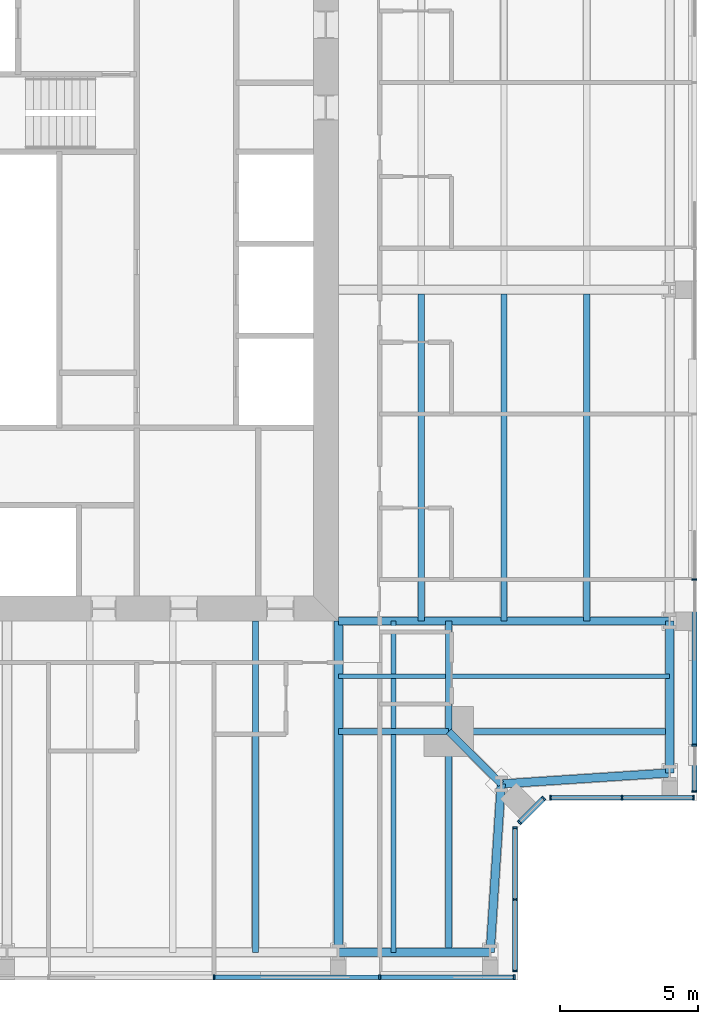
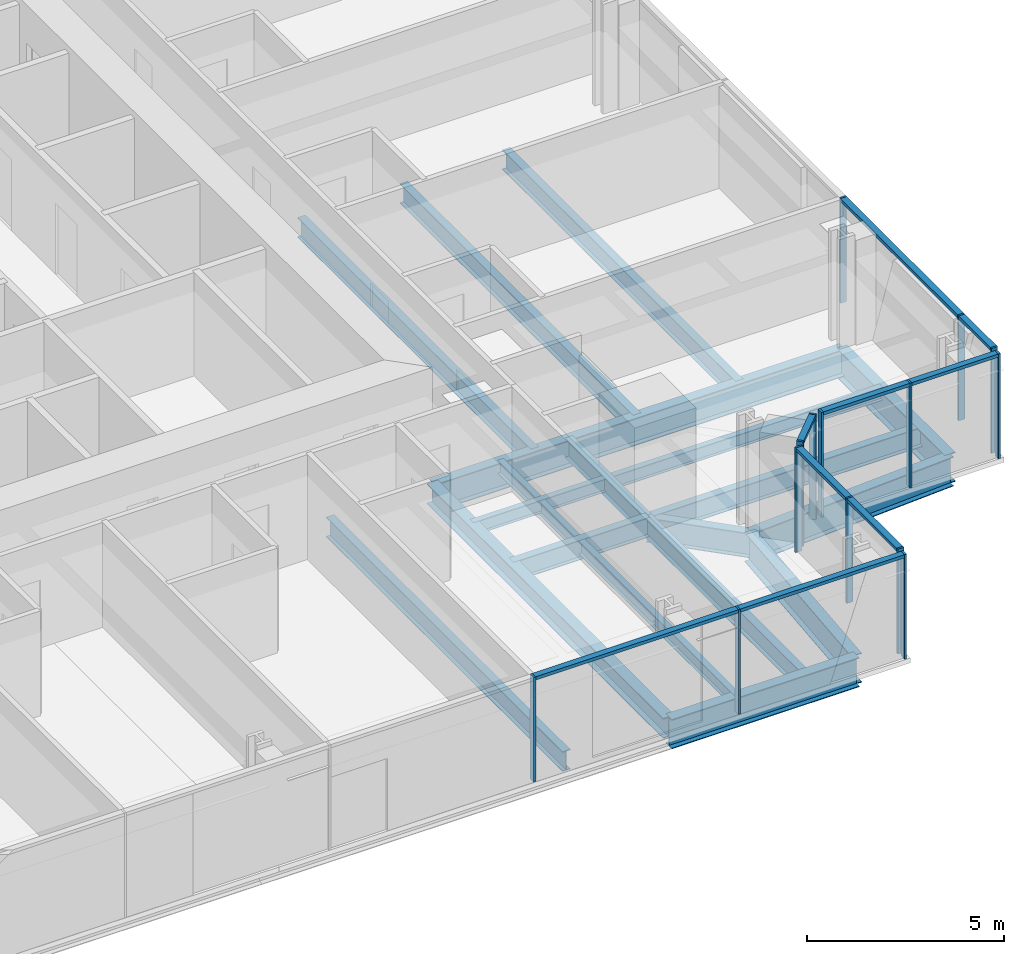
# One storey, part 5 of 20: 23 members, 20 beams, 5 elements without a shape of their own.
"""IFC4 building model written with IfcOpenShell, lengths in metres."""

from ifc_helpers import new_model, si_unit, direction, frame, origin, origin_2d, place, context, subcontext, project, spatial, rectangle, i_section, extrude, material, material_profile, profile_set, type_object, element, aggregate, save


model = new_model("IFC4")

# Units and contexts
model_context = context("Model", 3, precision=1e-05, world=origin(), true_north=direction((0.0, 1.0)))
body_context = subcontext(model_context, "Body", "Model", "MODEL_VIEW")
ifc_project = project(units=[si_unit("LENGTHUNIT", "METRE"), si_unit("AREAUNIT", "SQUARE_METRE"), si_unit("VOLUMEUNIT", "CUBIC_METRE"), si_unit("PLANEANGLEUNIT", "RADIAN"), si_unit("MASSUNIT", "GRAM", prefix="KILO")], contexts=[model_context])

# Site, building, storey
site_placement = place(None, origin())
site = spatial("IfcSite", under=ifc_project, at=site_placement, CompositionType="ELEMENT")
building_placement = place(site_placement, origin())
building = spatial("IfcBuilding", under=site, at=building_placement, Name="Fenwick Lantern Interchange", CompositionType="ELEMENT")
storey_placement = place(building_placement, frame((0.0, 0.0, 245.800048828125)))
storey = spatial("IfcBuildingStorey", under=building, at=storey_placement, Name="L57", CompositionType="ELEMENT", Elevation=245.800048828125)

# Beams
ifc_material_1 = material(Name="Steel ASTM A992 Grade 50", Category="steel")
ifc_material_profile_1 = material_profile(ifc_material_1, i_section(OverallWidth=0.3046875, OverallDepth=0.911865234375, WebThickness=0.015869140625, FlangeThickness=0.02392578125, at=origin_2d()), Name="W36X150")
ifc_profile_set_1 = profile_set([ifc_material_profile_1], Name="Steel ASTM A992 Grade 50")
beam_type_1 = type_object("IfcBeamType", Name="EDGE BEAM W36X150", PredefinedType="SPANDREL", material=ifc_profile_set_1)
beam_1_placement = place(storey_placement, frame((37.0, 1.0, -0.60595703125), z_axis=(1.0, 0.0, 0.0), x_axis=(0.0, 1.0, 0.0)))
element("IfcBeam", 1, at=beam_1_placement, inside=storey, type_object=beam_type_1, Name="L57/FR/S/EB4", PredefinedType="SPANDREL", context=body_context, shape_type="SweptSolid", body=[
    extrude(i_section(OverallWidth=0.3046875, OverallDepth=0.911865234375, WebThickness=0.015869140625, FlangeThickness=0.02392578125, at=origin_2d()), origin(), (0.0, 0.0, 1.0), 5.5),
])
for number, where, z_axis, x_axis, name in (
    (2, (42.5, 1.0, -0.60595703125), (0.065416293237, 0.997858060337, 0.0), (-0.997858060337, 0.065416293237, 0.0), "L57/FR/S/EBR1"),
    (3, (42.89990234375, 7.10009765625, -0.60595703125), (0.997858060337, 0.065416293237, 0.0), (-0.065416293237, 0.997858060337, 0.0), "L57/FR/S/EBR2"),
):
    element("IfcBeam", number, at=place(storey_placement, frame(where, z_axis=z_axis, x_axis=x_axis)), inside=storey, type_object=beam_type_1, Name=name, PredefinedType="SPANDREL", context=body_context, shape_type="SweptSolid", body=[
        extrude(i_section(OverallWidth=0.3046875, OverallDepth=0.911865234375, WebThickness=0.015869140625, FlangeThickness=0.02392578125, at=origin_2d()), origin(), (0.0, 0.0, 1.0), 6.11328125),
    ])
beam_2_placement = place(storey_placement, frame((49.0, 7.5, -0.60595703125), z_axis=(0.0, 1.0, 0.0), x_axis=(-1.0, 0.0, 0.0)))
element("IfcBeam", 4, at=beam_2_placement, inside=storey, type_object=beam_type_1, Name="L57/FR/E/EB1", PredefinedType="SPANDREL", context=body_context, shape_type="SweptSolid", body=[
    extrude(i_section(OverallWidth=0.3046875, OverallDepth=0.911865234375, WebThickness=0.015869140625, FlangeThickness=0.02392578125, at=origin_2d()), origin(), (0.0, 0.0, 1.0), 5.5),
])
ifc_material_profile_2 = material_profile(ifc_material_1, i_section(OverallWidth=0.22900390625, OverallDepth=0.612060546875, WebThickness=0.011962890625, FlangeThickness=0.01953125, at=origin_2d()), Name="W24X84")
ifc_profile_set_2 = profile_set([ifc_material_profile_2], Name="Steel ASTM A992 Grade 50")
beam_type_2 = type_object("IfcBeamType", Name="FLOOR BEAM W24X84", PredefinedType="BEAM", material=ifc_profile_set_2)
beam_3_placement = place(storey_placement, frame((34.0, 1.0, -0.4560546875), z_axis=(0.0, 1.0, 0.0), x_axis=(-1.0, 0.0, 0.0)))
element("IfcBeam", 5, at=beam_3_placement, inside=storey, type_object=beam_type_2, Name="L57/FR/S/R08", PredefinedType="BEAM", context=body_context, shape_type="SweptSolid", body=[
    extrude(i_section(OverallWidth=0.22900390625, OverallDepth=0.612060546875, WebThickness=0.011962890625, FlangeThickness=0.01953125, at=origin_2d()), origin(), (0.0, 0.0, 1.0), 12.0),
])
for number, where, z_axis, x_axis, name in (
    (6, (46.0, 13.0, -0.4560546875), (0.0, 1.0, 0.0), (-1.0, 0.0, 0.0), "L57/FR/E/B01"),
    (7, (43.0, 13.0, -0.4560546875), (0.0, 1.0, 0.0), (-1.0, 0.0, 0.0), "L57/FR/E/B02"),
    (8, (40.0, 13.0, -0.4560546875), (0.0, 1.0, 0.0), (-1.0, 0.0, 0.0), "L57/FR/E/B03"),
):
    element("IfcBeam", number, at=place(storey_placement, frame(where, z_axis=z_axis, x_axis=x_axis)), inside=storey, type_object=beam_type_2, Name=name, PredefinedType="BEAM", context=body_context, shape_type="SweptSolid", body=[
        extrude(i_section(OverallWidth=0.22900390625, OverallDepth=0.612060546875, WebThickness=0.011962890625, FlangeThickness=0.01953125, at=origin_2d()), origin(), (0.0, 0.0, 1.0), 11.844970703125),
    ])

# Curtain wall, members
ifc_material_2 = material(Name="Aluminium curtain wall frame", Category="aluminium")
curtain_wall_type = type_object("IfcCurtainWallType", Name="HOTEL CURTAIN WALL", PredefinedType="USERDEFINED", material=ifc_material_2)
curtain_wall_1_placement = place(storey_placement, origin())
curtain_wall_1 = element("IfcCurtainWall", 9, at=curtain_wall_1_placement, inside=storey, type_object=curtain_wall_type, Name="Hotel curtain wall 01", ObjectType="HOTEL CURTAIN WALL", PredefinedType="USERDEFINED")
ifc_material_3 = material(Name="Aluminium extrusion", Category="aluminium")
ifc_material_profile_3 = material_profile(ifc_material_3, rectangle(XDim=0.179931640625, YDim=0.06005859375, at=origin_2d()), Name="HOTEL CURTAIN WALL MULLION 60 X 180")
ifc_profile_set_3 = profile_set([ifc_material_profile_3], Name="Aluminium extrusion")
member_type_1 = type_object("IfcMemberType", Name="HOTEL CURTAIN WALL MULLION 60 X 180", PredefinedType="MULLION", material=ifc_profile_set_3)
member_1_placement = place(storey_placement, frame((32.5, 0.10009765625, 0.0), z_axis=(0.0, 0.0, 1.0), x_axis=(0.0, 1.0, 0.0)))
member_1 = element("IfcMember", 10, at=member_1_placement, type_object=member_type_1, Name="L57/CW/01/M05", PredefinedType="MULLION", context=body_context, shape_type="SweptSolid", body=[
    extrude(rectangle(XDim=0.179931640625, YDim=0.06005859375, at=origin_2d()), origin(), (0.0, 0.0, 1.0), 3.25),
])
member_2_placement = place(storey_placement, frame((38.5, 0.10009765625, 0.0), z_axis=(0.0, 0.0, 1.0), x_axis=(0.0, 1.0, 0.0)))
member_2 = element("IfcMember", 11, at=member_2_placement, type_object=member_type_1, Name="L57/CW/01/M06", PredefinedType="MULLION", context=body_context, shape_type="SweptSolid", body=[
    extrude(rectangle(XDim=0.179931640625, YDim=0.06005859375, at=origin_2d()), origin(), (0.0, 0.0, 1.0), 3.25),
])
member_3_placement = place(storey_placement, frame((43.3701171875, 0.10009765625, 0.0), z_axis=(0.0, 0.0, 1.0), x_axis=(0.0, 1.0, 0.0)))
member_3 = element("IfcMember", 12, at=member_3_placement, type_object=member_type_1, Name="L57/CW/01/M07", PredefinedType="MULLION", context=body_context, shape_type="SweptSolid", body=[
    extrude(rectangle(XDim=0.179931640625, YDim=0.06005859375, at=origin_2d()), origin(), (0.0, 0.0, 1.0), 3.25),
])

curtain_wall_2_placement = place(storey_placement, origin())
curtain_wall_2 = element("IfcCurtainWall", 13, at=curtain_wall_2_placement, inside=storey, type_object=curtain_wall_type, Name="Hotel curtain wall 02", ObjectType="HOTEL CURTAIN WALL", PredefinedType="USERDEFINED")
member_4_placement = place(storey_placement, frame((43.39990234375, 0.330078125, 0.0), z_axis=(0.0, 0.0, 1.0), x_axis=(-1.0, 0.0, 0.0)))
member_4 = element("IfcMember", 14, at=member_4_placement, type_object=member_type_1, Name="L57/CW/02/M00", PredefinedType="MULLION", context=body_context, shape_type="SweptSolid", body=[
    extrude(rectangle(XDim=0.179931640625, YDim=0.06005859375, at=origin_2d()), origin(), (0.0, 0.0, 1.0), 3.25),
])
member_5_placement = place(storey_placement, frame((43.39990234375, 2.920654296875, 0.0), z_axis=(0.0, 0.0, 1.0), x_axis=(-1.0, 0.0, 0.0)))
member_5 = element("IfcMember", 15, at=member_5_placement, type_object=member_type_1, Name="L57/CW/02/M01", PredefinedType="MULLION", context=body_context, shape_type="SweptSolid", body=[
    extrude(rectangle(XDim=0.179931640625, YDim=0.06005859375, at=origin_2d()), origin(), (0.0, 0.0, 1.0), 3.25),
])
member_6_placement = place(storey_placement, frame((43.39990234375, 5.511474609375, 0.0), z_axis=(0.0, 0.0, 1.0), x_axis=(-1.0, 0.0, 0.0)))
member_6 = element("IfcMember", 16, at=member_6_placement, type_object=member_type_1, Name="L57/CW/02/M02", PredefinedType="MULLION", context=body_context, shape_type="SweptSolid", body=[
    extrude(rectangle(XDim=0.179931640625, YDim=0.06005859375, at=origin_2d()), origin(), (0.0, 0.0, 1.0), 3.25),
])

curtain_wall_3_placement = place(storey_placement, origin())
curtain_wall_3 = element("IfcCurtainWall", 17, at=curtain_wall_3_placement, inside=storey, type_object=curtain_wall_type, Name="Hotel curtain wall 03", ObjectType="HOTEL CURTAIN WALL", PredefinedType="USERDEFINED")
member_7_placement = place(storey_placement, frame((43.562744140625, 5.7041015625, 0.0), z_axis=(0.0, 0.0, 1.0), x_axis=(-0.707106781187, 0.707106781187, 0.0)))
member_7 = element("IfcMember", 18, at=member_7_placement, type_object=member_type_1, Name="L57/CW/03/M00", PredefinedType="MULLION", context=body_context, shape_type="SweptSolid", body=[
    extrude(rectangle(XDim=0.179931640625, YDim=0.06005859375, at=origin_2d()), origin(), (0.0, 0.0, 1.0), 3.25),
])
member_8_placement = place(storey_placement, frame((44.437255859375, 6.578857421875, 0.0), z_axis=(0.0, 0.0, 1.0), x_axis=(-0.707106781187, 0.707106781187, 0.0)))
member_8 = element("IfcMember", 19, at=member_8_placement, type_object=member_type_1, Name="L57/CW/03/M01", PredefinedType="MULLION", context=body_context, shape_type="SweptSolid", body=[
    extrude(rectangle(XDim=0.179931640625, YDim=0.06005859375, at=origin_2d()), origin(), (0.0, 0.0, 1.0), 3.25),
])

curtain_wall_4_placement = place(storey_placement, origin())
curtain_wall_4 = element("IfcCurtainWall", 20, at=curtain_wall_4_placement, inside=storey, type_object=curtain_wall_type, Name="Hotel curtain wall 04", ObjectType="HOTEL CURTAIN WALL", PredefinedType="USERDEFINED")
member_9_placement = place(storey_placement, frame((44.6884765625, 6.60009765625, 0.0), z_axis=(0.0, 0.0, 1.0), x_axis=(0.0, 1.0, 0.0)))
member_9 = element("IfcMember", 21, at=member_9_placement, type_object=member_type_1, Name="L57/CW/04/M00", PredefinedType="MULLION", context=body_context, shape_type="SweptSolid", body=[
    extrude(rectangle(XDim=0.179931640625, YDim=0.06005859375, at=origin_2d()), origin(), (0.0, 0.0, 1.0), 3.25),
])
member_10_placement = place(storey_placement, frame((47.279296875, 6.60009765625, 0.0), z_axis=(0.0, 0.0, 1.0), x_axis=(0.0, 1.0, 0.0)))
member_10 = element("IfcMember", 22, at=member_10_placement, type_object=member_type_1, Name="L57/CW/04/M01", PredefinedType="MULLION", context=body_context, shape_type="SweptSolid", body=[
    extrude(rectangle(XDim=0.179931640625, YDim=0.06005859375, at=origin_2d()), origin(), (0.0, 0.0, 1.0), 3.25),
])
member_11_placement = place(storey_placement, frame((49.8701171875, 6.60009765625, 0.0), z_axis=(0.0, 0.0, 1.0), x_axis=(0.0, 1.0, 0.0)))
member_11 = element("IfcMember", 23, at=member_11_placement, type_object=member_type_1, Name="L57/CW/04/M02", PredefinedType="MULLION", context=body_context, shape_type="SweptSolid", body=[
    extrude(rectangle(XDim=0.179931640625, YDim=0.06005859375, at=origin_2d()), origin(), (0.0, 0.0, 1.0), 3.25),
])

curtain_wall_5_placement = place(storey_placement, origin())
curtain_wall_5 = element("IfcCurtainWall", 24, at=curtain_wall_5_placement, inside=storey, type_object=curtain_wall_type, Name="Hotel curtain wall 05", ObjectType="HOTEL CURTAIN WALL", PredefinedType="USERDEFINED")
member_12_placement = place(storey_placement, frame((49.89990234375, 6.830078125, 0.0), z_axis=(0.0, 0.0, 1.0), x_axis=(-1.0, 0.0, 0.0)))
member_12 = element("IfcMember", 25, at=member_12_placement, type_object=member_type_1, Name="L57/CW/05/M00", PredefinedType="MULLION", context=body_context, shape_type="SweptSolid", body=[
    extrude(rectangle(XDim=0.179931640625, YDim=0.06005859375, at=origin_2d()), origin(), (0.0, 0.0, 1.0), 3.25),
])
member_13_placement = place(storey_placement, frame((49.89990234375, 8.5, 0.0), z_axis=(0.0, 0.0, 1.0), x_axis=(-1.0, 0.0, 0.0)))
member_13 = element("IfcMember", 26, at=member_13_placement, type_object=member_type_1, Name="L57/CW/05/M01", PredefinedType="MULLION", context=body_context, shape_type="SweptSolid", body=[
    extrude(rectangle(XDim=0.179931640625, YDim=0.06005859375, at=origin_2d()), origin(), (0.0, 0.0, 1.0), 3.25),
])
member_14_placement = place(storey_placement, frame((49.89990234375, 14.5, 0.0), z_axis=(0.0, 0.0, 1.0), x_axis=(-1.0, 0.0, 0.0)))
member_14 = element("IfcMember", 27, at=member_14_placement, type_object=member_type_1, Name="L57/CW/05/M02", PredefinedType="MULLION", context=body_context, shape_type="SweptSolid", body=[
    extrude(rectangle(XDim=0.179931640625, YDim=0.06005859375, at=origin_2d()), origin(), (0.0, 0.0, 1.0), 3.25),
])

# Member
ifc_material_profile_4 = material_profile(ifc_material_3, rectangle(XDim=0.179931640625, YDim=0.10009765625, at=origin_2d()), Name="HOTEL CURTAIN WALL TRANSOM 100 X 180")
ifc_profile_set_4 = profile_set([ifc_material_profile_4], Name="Aluminium extrusion")
member_type_2 = type_object("IfcMemberType", Name="HOTEL CURTAIN WALL TRANSOM 100 X 180", PredefinedType="MULLION", material=ifc_profile_set_4)
member_15_placement = place(storey_placement, frame((32.530029296875, 0.10009765625, 3.199951171875), z_axis=(1.0, 0.0, 0.0), x_axis=(0.0, 1.0, 0.0)))
member_15 = element("IfcMember", 28, at=member_15_placement, type_object=member_type_2, Name="L57/CW/01/T05", PredefinedType="MULLION", context=body_context, shape_type="SweptSolid", body=[
    extrude(rectangle(XDim=0.179931640625, YDim=0.10009765625, at=origin_2d()), origin(), (0.0, 0.0, 1.0), 5.93994140625),
])

member_16_placement = place(storey_placement, frame((38.530029296875, 0.10009765625, 3.199951171875), z_axis=(1.0, 0.0, 0.0), x_axis=(0.0, 1.0, 0.0)))
member_16 = element("IfcMember", 29, at=member_16_placement, type_object=member_type_2, Name="L57/CW/01/T06", PredefinedType="MULLION", context=body_context, shape_type="SweptSolid", body=[
    extrude(rectangle(XDim=0.179931640625, YDim=0.10009765625, at=origin_2d()), origin(), (0.0, 0.0, 1.0), 4.81005859375),
])

aggregate(curtain_wall_1, [member_1, member_2, member_3, member_15, member_16])

member_17_placement = place(storey_placement, frame((43.39990234375, 0.360107421875, 3.199951171875), z_axis=(0.0, 1.0, 0.0), x_axis=(-1.0, 0.0, 0.0)))
member_17 = element("IfcMember", 30, at=member_17_placement, type_object=member_type_2, Name="L57/CW/02/T00", PredefinedType="MULLION", context=body_context, shape_type="SweptSolid", body=[
    extrude(rectangle(XDim=0.179931640625, YDim=0.10009765625, at=origin_2d()), origin(), (0.0, 0.0, 1.0), 2.530517578125),
])

member_18_placement = place(storey_placement, frame((43.39990234375, 2.95068359375, 3.199951171875), z_axis=(0.0, 1.0, 0.0), x_axis=(-1.0, 0.0, 0.0)))
member_18 = element("IfcMember", 31, at=member_18_placement, type_object=member_type_2, Name="L57/CW/02/T01", PredefinedType="MULLION", context=body_context, shape_type="SweptSolid", body=[
    extrude(rectangle(XDim=0.179931640625, YDim=0.10009765625, at=origin_2d()), origin(), (0.0, 0.0, 1.0), 2.53076171875),
])

aggregate(curtain_wall_2, [member_4, member_5, member_6, member_17, member_18])

member_19_placement = place(storey_placement, frame((43.583740234375, 5.725341796875, 3.199951171875), z_axis=(0.707210470133, 0.707003077033, 0.0), x_axis=(-0.707003077033, 0.707210470133, 0.0)))
member_19 = element("IfcMember", 32, at=member_19_placement, type_object=member_type_2, Name="L57/CW/03/T00", PredefinedType="MULLION", context=body_context, shape_type="SweptSolid", body=[
    extrude(rectangle(XDim=0.179931640625, YDim=0.10009765625, at=origin_2d()), origin(), (0.0, 0.0, 1.0), 1.17724609375),
])

aggregate(curtain_wall_3, [member_7, member_8, member_19])

member_20_placement = place(storey_placement, frame((44.718505859375, 6.60009765625, 3.199951171875), z_axis=(1.0, 0.0, 0.0), x_axis=(0.0, 1.0, 0.0)))
member_20 = element("IfcMember", 33, at=member_20_placement, type_object=member_type_2, Name="L57/CW/04/T00", PredefinedType="MULLION", context=body_context, shape_type="SweptSolid", body=[
    extrude(rectangle(XDim=0.179931640625, YDim=0.10009765625, at=origin_2d()), origin(), (0.0, 0.0, 1.0), 2.53076171875),
])

member_21_placement = place(storey_placement, frame((47.309326171875, 6.60009765625, 3.199951171875), z_axis=(1.0, 0.0, 0.0), x_axis=(0.0, 1.0, 0.0)))
member_21 = element("IfcMember", 34, at=member_21_placement, type_object=member_type_2, Name="L57/CW/04/T01", PredefinedType="MULLION", context=body_context, shape_type="SweptSolid", body=[
    extrude(rectangle(XDim=0.179931640625, YDim=0.10009765625, at=origin_2d()), origin(), (0.0, 0.0, 1.0), 2.53076171875),
])

aggregate(curtain_wall_4, [member_9, member_10, member_11, member_20, member_21])

member_22_placement = place(storey_placement, frame((49.89990234375, 6.860107421875, 3.199951171875), z_axis=(0.0, 1.0, 0.0), x_axis=(-1.0, 0.0, 0.0)))
member_22 = element("IfcMember", 35, at=member_22_placement, type_object=member_type_2, Name="L57/CW/05/T00", PredefinedType="MULLION", context=body_context, shape_type="SweptSolid", body=[
    extrude(rectangle(XDim=0.179931640625, YDim=0.10009765625, at=origin_2d()), origin(), (0.0, 0.0, 1.0), 1.60986328125),
])

member_23_placement = place(storey_placement, frame((49.89990234375, 8.530029296875, 3.199951171875), z_axis=(0.0, 1.0, 0.0), x_axis=(-1.0, 0.0, 0.0)))
member_23 = element("IfcMember", 36, at=member_23_placement, type_object=member_type_2, Name="L57/CW/05/T01", PredefinedType="MULLION", context=body_context, shape_type="SweptSolid", body=[
    extrude(rectangle(XDim=0.179931640625, YDim=0.10009765625, at=origin_2d()), origin(), (0.0, 0.0, 1.0), 5.93994140625),
])

aggregate(curtain_wall_5, [member_12, member_13, member_14, member_22, member_23])

# Beams
ifc_material_profile_5 = material_profile(ifc_material_1, i_section(OverallWidth=0.177734375, OverallDepth=0.406494140625, WebThickness=0.0078125, FlangeThickness=0.012939453125, at=origin_2d()), Name="W16X40")
ifc_profile_set_5 = profile_set([ifc_material_profile_5], Name="Steel ASTM A992 Grade 50")
beam_type_3 = type_object("IfcBeamType", Name="INFILL BEAM W16X40", PredefinedType="JOIST", material=ifc_profile_set_5)
beam_4_placement = place(storey_placement, frame((49.0, 11.0, -0.353271484375), z_axis=(-1.0, 0.0, 0.0), x_axis=(0.0, -1.0, 0.0)))
element("IfcBeam", 37, at=beam_4_placement, inside=storey, type_object=beam_type_3, Name="L57/FR/E/J1", PredefinedType="JOIST", context=body_context, shape_type="SweptSolid", body=[
    extrude(i_section(OverallWidth=0.177734375, OverallDepth=0.406494140625, WebThickness=0.0078125, FlangeThickness=0.012939453125, at=origin_2d()), origin(), (0.0, 0.0, 1.0), 7.885498046875),
])
beam_5_placement = place(storey_placement, frame((40.885498046875, 11.0, -0.353271484375), z_axis=(-1.0, 0.0, 0.0), x_axis=(0.0, -1.0, 0.0)))
element("IfcBeam", 38, at=beam_5_placement, inside=storey, type_object=beam_type_3, Name="L57/FR/E/J2", PredefinedType="JOIST", context=body_context, shape_type="SweptSolid", body=[
    extrude(i_section(OverallWidth=0.177734375, OverallDepth=0.406494140625, WebThickness=0.0078125, FlangeThickness=0.012939453125, at=origin_2d()), origin(), (0.0, 0.0, 1.0), 3.885498046875),
])
beam_6_placement = place(storey_placement, frame((39.0, 1.0, -0.353271484375), z_axis=(0.0, 1.0, 0.0), x_axis=(-1.0, 0.0, 0.0)))
element("IfcBeam", 39, at=beam_6_placement, inside=storey, type_object=beam_type_3, Name="L57/FR/E/J3", PredefinedType="JOIST", context=body_context, shape_type="SweptSolid", body=[
    extrude(i_section(OverallWidth=0.177734375, OverallDepth=0.406494140625, WebThickness=0.0078125, FlangeThickness=0.012939453125, at=origin_2d()), origin(), (0.0, 0.0, 1.0), 7.885498046875),
])
beam_7_placement = place(storey_placement, frame((39.0, 9.114501953125, -0.353271484375), z_axis=(0.0, 1.0, 0.0), x_axis=(-1.0, 0.0, 0.0)))
element("IfcBeam", 40, at=beam_7_placement, inside=storey, type_object=beam_type_3, Name="L57/FR/E/J4", PredefinedType="JOIST", context=body_context, shape_type="SweptSolid", body=[
    extrude(i_section(OverallWidth=0.177734375, OverallDepth=0.406494140625, WebThickness=0.0078125, FlangeThickness=0.012939453125, at=origin_2d()), origin(), (0.0, 0.0, 1.0), 1.796630859375),
])
beam_8_placement = place(storey_placement, frame((39.0, 11.0888671875, -0.353271484375), z_axis=(0.0, 1.0, 0.0), x_axis=(-1.0, 0.0, 0.0)))
element("IfcBeam", 41, at=beam_8_placement, inside=storey, type_object=beam_type_3, Name="L57/FR/E/J5", PredefinedType="JOIST", context=body_context, shape_type="SweptSolid", body=[
    extrude(i_section(OverallWidth=0.177734375, OverallDepth=0.406494140625, WebThickness=0.0078125, FlangeThickness=0.012939453125, at=origin_2d()), origin(), (0.0, 0.0, 1.0), 1.9111328125),
])
ifc_material_profile_6 = material_profile(ifc_material_1, i_section(OverallWidth=0.22900390625, OverallDepth=0.612060546875, WebThickness=0.011962890625, FlangeThickness=0.01953125, at=origin_2d()), Name="W24X84")
ifc_profile_set_6 = profile_set([ifc_material_profile_6], Name="Steel ASTM A992 Grade 50")
beam_type_4 = type_object("IfcBeamType", Name="MEGA COLUMN BEAM W24X84", PredefinedType="BEAM", material=ifc_profile_set_6)
for number, where, z_axis, x_axis, name in (
    (42, (41.0, 9.0, -0.4560546875), (1.0, 0.0, 0.0), (0.0, 1.0, 0.0), "L57/FR/E/MB1"),
    (43, (41.0, 9.0, -0.4560546875), (0.0, -1.0, 0.0), (1.0, 0.0, 0.0), "L57/FR/E/MB2"),
):
    element("IfcBeam", number, at=place(storey_placement, frame(where, z_axis=z_axis, x_axis=x_axis)), inside=storey, type_object=beam_type_4, Name=name, PredefinedType="BEAM", context=body_context, shape_type="SweptSolid", body=[
        extrude(i_section(OverallWidth=0.22900390625, OverallDepth=0.612060546875, WebThickness=0.011962890625, FlangeThickness=0.01953125, at=origin_2d()), origin(), (0.0, 0.0, 1.0), 8.0),
    ])
for number, where, z_axis, x_axis, name in (
    (44, (41.0, 9.0, -0.4560546875), (0.0, 1.0, 0.0), (-1.0, 0.0, 0.0), "L57/FR/E/MB3"),
    (45, (41.0, 9.0, -0.4560546875), (-1.0, 0.0, 0.0), (0.0, -1.0, 0.0), "L57/FR/E/MB4"),
):
    element("IfcBeam", number, at=place(storey_placement, frame(where, z_axis=z_axis, x_axis=x_axis)), inside=storey, type_object=beam_type_4, Name=name, PredefinedType="BEAM", context=body_context, shape_type="SweptSolid", body=[
        extrude(i_section(OverallWidth=0.22900390625, OverallDepth=0.612060546875, WebThickness=0.011962890625, FlangeThickness=0.01953125, at=origin_2d()), origin(), (0.0, 0.0, 1.0), 4.0),
    ])
ifc_material_profile_7 = material_profile(ifc_material_1, i_section(OverallWidth=0.32763671875, OverallDepth=0.622314453125, WebThickness=0.015380859375, FlangeThickness=0.0244140625, at=origin_2d()), Name="W24X131")
ifc_profile_set_7 = profile_set([ifc_material_profile_7], Name="Steel ASTM A992 Grade 50")
beam_type_5 = type_object("IfcBeamType", Name="MOMENT-CONNECTED GIRDER W24X131", PredefinedType="BEAM", material=ifc_profile_set_7)
beam_9_placement = place(storey_placement, frame((37.0, 1.0, -0.461181640625), z_axis=(0.0, 1.0, 0.0), x_axis=(-1.0, 0.0, 0.0)))
element("IfcBeam", 46, at=beam_9_placement, inside=storey, type_object=beam_type_5, Name="L57/FR/S/R09", PredefinedType="BEAM", context=body_context, shape_type="SweptSolid", body=[
    extrude(i_section(OverallWidth=0.32763671875, OverallDepth=0.622314453125, WebThickness=0.015380859375, FlangeThickness=0.0244140625, at=origin_2d()), origin(), (0.0, 0.0, 1.0), 12.0),
])
ifc_material_profile_8 = material_profile(ifc_material_1, i_section(OverallWidth=0.2919921875, OverallDepth=0.845703125, WebThickness=0.015380859375, FlangeThickness=0.0244140625, at=origin_2d()), Name="W33X141")
ifc_profile_set_8 = profile_set([ifc_material_profile_8], Name="Steel ASTM A992 Grade 50")
beam_type_6 = type_object("IfcBeamType", Name="MOMENT-CONNECTED GIRDER W33X141", PredefinedType="BEAM", material=ifc_profile_set_8)
beam_10_placement = place(storey_placement, frame((49.0, 13.0, -0.572998046875), z_axis=(-1.0, 0.0, 0.0), x_axis=(0.0, -1.0, 0.0)))
element("IfcBeam", 47, at=beam_10_placement, inside=storey, type_object=beam_type_6, Name="L57/FR/E/R01", PredefinedType="BEAM", context=body_context, shape_type="SweptSolid", body=[
    extrude(i_section(OverallWidth=0.2919921875, OverallDepth=0.845703125, WebThickness=0.015380859375, FlangeThickness=0.0244140625, at=origin_2d()), origin(), (0.0, 0.0, 1.0), 12.0),
])
ifc_material_profile_9 = material_profile(ifc_material_1, i_section(OverallWidth=0.2666015625, OverallDepth=0.7568359375, WebThickness=0.013916015625, FlangeThickness=0.019287109375, at=origin_2d()), Name="W30X108")
ifc_profile_set_9 = profile_set([ifc_material_profile_9], Name="Steel ASTM A992 Grade 50")
beam_type_7 = type_object("IfcBeamType", Name="NOTCH BEAM W30X108", PredefinedType="BEAM", material=ifc_profile_set_9)
beam_11_placement = place(storey_placement, frame((41.0, 9.0, -0.528564453125), z_axis=(0.707106781187, -0.707106781187, 0.0), x_axis=(0.707106781187, 0.707106781187, 0.0)))
element("IfcBeam", 48, at=beam_11_placement, inside=storey, type_object=beam_type_7, Name="L57/FR/E/TG", PredefinedType="BEAM", context=body_context, shape_type="SweptSolid", body=[
    extrude(i_section(OverallWidth=0.2666015625, OverallDepth=0.7568359375, WebThickness=0.013916015625, FlangeThickness=0.019287109375, at=origin_2d()), origin(), (0.0, 0.0, 1.0), 2.686767578125),
])

save(model, "model.ifc")
